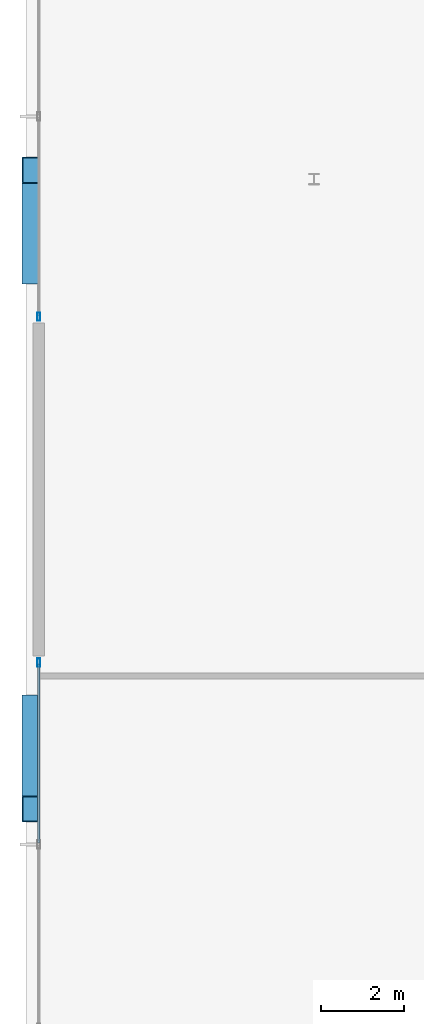
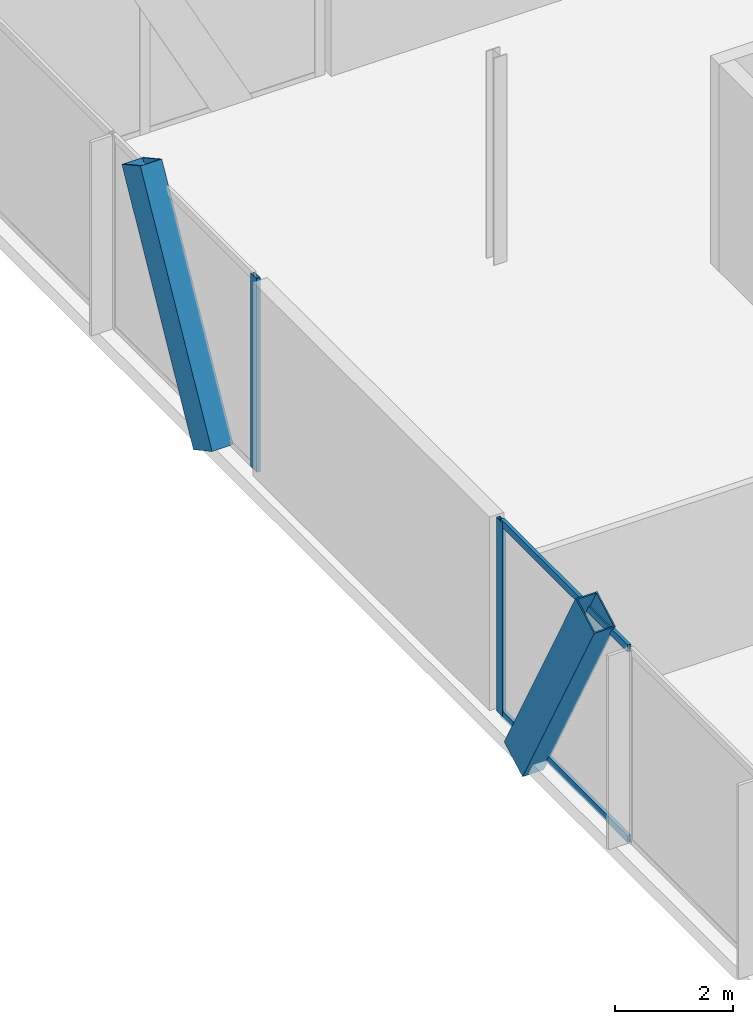
# One storey, part 23 of 42: 6 members, 2 elements without a shape of their own.
"""IFC4 building model written with IfcOpenShell, lengths in metres."""

import ifcopenshell
import ifcopenshell.guid

model = None  # the IFC model being written
_history = None  # IfcOwnerHistory: only IFC2X3 demands one
_inside = {}  # id of a spatial element -> (the spatial element, [elements in it])
_under = {}  # id of a project, library or spatial element -> (it, [spatial elements below it])
_declared = {}  # id of a project -> (the project, [libraries it declares])
_typed = {}  # id of a type object -> (the type object, [elements of that type])
_made_of = {}  # id of a material, layer set ... -> (it, [elements and type objects made of it])


def new_model(schema):
    """Start an empty IFC model of exactly this schema.

    Asked for "IFC4X3", IfcOpenShell would pick the latest addendum, in which some entities
    have other attributes; the version numbers below select the first issue.
    IFC2X3 requires an IfcOwnerHistory on every rooted entity: one is made here for all.
    """
    global model, _history
    if schema == "IFC4X3":
        model = ifcopenshell.file(schema_version=(4, 3, 0, 0))
    else:
        model = ifcopenshell.file(schema=schema)
    _inside.clear()
    _under.clear()
    _declared.clear()
    _typed.clear()
    _made_of.clear()
    _history = None
    if model.schema == "IFC2X3":
        org = make("IfcOrganization", Name="unknown")
        user = make(
            "IfcPersonAndOrganization",
            ThePerson=make("IfcPerson", FamilyName="unknown"),
            TheOrganization=org,
        )
        app = make(
            "IfcApplication",
            ApplicationDeveloper=org,
            Version="unknown",
            ApplicationFullName="unknown",
            ApplicationIdentifier="unknown",
        )
        _history = make(
            "IfcOwnerHistory",
            OwningUser=user,
            OwningApplication=app,
            ChangeAction="ADDED",
            CreationDate=0,
        )
    return model


def make(cls, **values):
    """One entity of the class cls with the attributes given. An attribute that is None is left unset."""
    return model.create_entity(
        cls, **{name: value for name, value in values.items() if value is not None}
    )


def rooted(cls, **values):
    """An entity with a GlobalId (a new one), such as an element, a storey or a relation."""
    return make(cls, GlobalId=ifcopenshell.guid.new(), OwnerHistory=_history, **values)


def si_unit(unit_type, name, prefix=None):
    """IfcSIUnit, for example si_unit("LENGTHUNIT", "METRE", prefix="MILLI")."""
    return make("IfcSIUnit", UnitType=unit_type, Prefix=prefix, Name=name)


def assignment(units):
    """IfcUnitAssignment: the units of a project."""
    return None if units is None else make("IfcUnitAssignment", Units=units)


def point(xyz):
    """IfcCartesianPoint."""
    return None if xyz is None else make("IfcCartesianPoint", Coordinates=xyz)


def direction(xyz):
    """IfcDirection."""
    return None if xyz is None else make("IfcDirection", DirectionRatios=xyz)


def frame(location, z_axis=None, x_axis=None):
    """IfcAxis2Placement3D, a coordinate frame: its origin and axes. An axis left out is left unset."""
    return make(
        "IfcAxis2Placement3D",
        Location=point(location),
        Axis=direction(z_axis),
        RefDirection=direction(x_axis),
    )


def frame_2d(location, x_axis=None):
    """IfcAxis2Placement2D, a coordinate frame in the plane: its origin and x axis."""
    return make(
        "IfcAxis2Placement2D", Location=point(location), RefDirection=direction(x_axis)
    )


def origin():
    """The frame at (0, 0, 0) with its axes left unset."""
    return frame((0.0, 0.0, 0.0))


def origin_2d():
    """The frame at (0, 0) in the plane with its x axis left unset."""
    return frame_2d((0.0, 0.0))


def place(relative_to, where):
    """IfcLocalPlacement: puts the frame where relative to a parent placement (None: the world)."""
    return make(
        "IfcLocalPlacement", PlacementRelTo=relative_to, RelativePlacement=where
    )


def context(
    kind, dimensions, precision=None, world=None, true_north=None, identifier=None
):
    """IfcGeometricRepresentationContext, for example the 3D "Model" context."""
    return make(
        "IfcGeometricRepresentationContext",
        ContextIdentifier=identifier,
        ContextType=kind,
        CoordinateSpaceDimension=dimensions,
        Precision=precision,
        WorldCoordinateSystem=world,
        TrueNorth=true_north,
    )


def subcontext(parent, identifier, kind, view, scale=None):
    """IfcGeometricRepresentationSubContext, for example "Body" below "Model"."""
    return make(
        "IfcGeometricRepresentationSubContext",
        ContextIdentifier=identifier,
        ContextType=kind,
        ParentContext=parent,
        TargetScale=scale,
        TargetView=view,
    )


def project(units=None, contexts=None):
    """IfcProject with its units and contexts."""
    return rooted(
        "IfcProject",
        Name="project",
        RepresentationContexts=contexts,
        UnitsInContext=assignment(units),
    )


def spatial(cls, under=None, at=None, **own):
    """A site, building, storey or space (cls), placed at a placement, below another one or the project."""
    s = rooted(cls, ObjectPlacement=at, **own)
    if under is not None:
        _under.setdefault(under.id(), (under, []))[1].append(s)
    return s


def profile(cls, at=None, kind="AREA", **sizes):
    """A parametric profile (cls). Its sizes go by their IFC names, for example OverallWidth=200.0."""
    return make(cls, ProfileType=kind, Position=at, **sizes)


def hollow_rectangle(**sizes):
    """IfcRectangleHollowProfileDef."""
    return profile("IfcRectangleHollowProfileDef", **sizes)


def extrude(swept, where, along, depth):
    """IfcExtrudedAreaSolid: the profile swept, set in the frame where, extruded along a direction by depth."""
    return make(
        "IfcExtrudedAreaSolid",
        SweptArea=swept,
        Position=where,
        ExtrudedDirection=direction(along),
        Depth=depth,
    )


def shape(context_of_items, identifier, shape_type, items):
    """IfcShapeRepresentation: the items that make up one representation, for example the "Body"."""
    return make(
        "IfcShapeRepresentation",
        ContextOfItems=context_of_items,
        RepresentationIdentifier=identifier,
        RepresentationType=shape_type,
        Items=items,
    )


def material(Name=None, Category=None):
    """IfcMaterial."""
    return make("IfcMaterial", Name=Name, Category=Category)


def layer(
    of_material, thickness, ventilated=None, Name=None, Category=None, Priority=None
):
    """IfcMaterialLayer: one layer of a wall or slab, of a material (None: an air gap)."""
    return make(
        "IfcMaterialLayer",
        Material=of_material,
        LayerThickness=thickness,
        IsVentilated=ventilated,
        Name=Name,
        Category=Category,
        Priority=Priority,
    )


def layer_set(layers, Name=None):
    """IfcMaterialLayerSet."""
    return make("IfcMaterialLayerSet", MaterialLayers=layers, LayerSetName=Name)


def material_profile(
    of_material, cross_section, Name=None, Category=None, Priority=None
):
    """IfcMaterialProfile: a cross section and its material."""
    return make(
        "IfcMaterialProfile",
        Name=Name,
        Material=of_material,
        Profile=cross_section,
        Priority=Priority,
        Category=Category,
    )


def profile_set(profiles, Name=None, composite=None):
    """IfcMaterialProfileSet."""
    return make(
        "IfcMaterialProfileSet",
        Name=Name,
        MaterialProfiles=profiles,
        CompositeProfile=composite,
    )


def made_of(thing, what):
    """Note that an element or type object is made of a material, layer set ...; save() writes the relation."""
    if what is not None:
        _made_of.setdefault(what.id(), (what, []))[1].append(thing)
    return thing


def type_object(cls, material=None, **own):
    """A type object (cls), such as IfcWallType, which elements share."""
    return made_of(rooted(cls, **own), material)


def element(
    cls,
    number,
    at=None,
    inside=None,
    cuts=None,
    type_object=None,
    material=None,
    context=None,
    identifier="Body",
    shape_type=None,
    held_by="IfcProductDefinitionShape",
    body=None,
    shapes=None,
    **own,
):
    """One element of the class cls, such as IfcWall. Its Tag is "e" and its number.

    at: its placement. inside: the storey or other place that contains it. cuts: it is an
    opening in that element (IfcRelVoidsElement). A single representation is given by context,
    identifier, shape_type and body (its items); several are given by shapes. held_by: the class
    of the entity that holds the representations. save() writes the other relations.
    """
    e = rooted(cls, Tag="e%d" % number, ObjectPlacement=at, **own)
    if body is not None:
        shapes = [shape(context, identifier, shape_type, body)]
    if shapes is not None:
        e.Representation = make(held_by, Representations=shapes)
    if inside is not None:
        _inside.setdefault(inside.id(), (inside, []))[1].append(e)
    if cuts is not None:
        rooted(
            "IfcRelVoidsElement", RelatingBuildingElement=cuts, RelatedOpeningElement=e
        )
    if type_object is not None:
        _typed.setdefault(type_object.id(), (type_object, []))[1].append(e)
    return made_of(e, material)


def aggregate(whole, parts):
    """IfcRelAggregates: a whole, such as a stair, and the parts it consists of."""
    return rooted("IfcRelAggregates", RelatingObject=whole, RelatedObjects=parts)


def save(model, path):
    """Write the relations noted so far, then the file.

    IfcRelAggregates (storeys below a building ...), IfcRelContainedInSpatialStructure (elements
    in a storey), IfcRelDefinesByType, IfcRelAssociatesMaterial and IfcRelDeclares: one each for
    every whole, place, type object, material and project.
    """
    for whole, parts in _under.values():
        aggregate(whole, parts)
    for where, things in _inside.values():
        rooted(
            "IfcRelContainedInSpatialStructure",
            RelatedElements=things,
            RelatingStructure=where,
        )
    for kind, things in _typed.values():
        rooted("IfcRelDefinesByType", RelatedObjects=things, RelatingType=kind)
    for what, things in _made_of.values():
        rooted("IfcRelAssociatesMaterial", RelatedObjects=things, RelatingMaterial=what)
    for by, libraries in _declared.values():
        rooted("IfcRelDeclares", RelatingContext=by, RelatedDefinitions=libraries)
    model.write(path)


model = new_model("IFC4")

# Units and contexts
model_context = context("Model", 3, precision=1e-05, world=origin(), true_north=direction((0.0, 1.0)))
body_context = subcontext(model_context, "Body", "Model", "MODEL_VIEW")
ifc_project = project(units=[si_unit("LENGTHUNIT", "METRE"), si_unit("AREAUNIT", "SQUARE_METRE"), si_unit("VOLUMEUNIT", "CUBIC_METRE"), si_unit("PLANEANGLEUNIT", "RADIAN"), si_unit("MASSUNIT", "GRAM", prefix="KILO")], contexts=[model_context])

# Site, building, storey
site_placement = place(None, origin())
site = spatial("IfcSite", under=ifc_project, at=site_placement, CompositionType="ELEMENT")
building_placement = place(site_placement, origin())
building = spatial("IfcBuilding", under=site, at=building_placement, Name="Orvanel Arch Residences", CompositionType="ELEMENT")
storey_placement = place(building_placement, frame((0.0, 0.0, 9.800048828125)))
storey = spatial("IfcBuildingStorey", under=building, at=storey_placement, Name="L02", CompositionType="ELEMENT", Elevation=9.800048828125)

# Members
ifc_material_1 = material(Name="Structural steel AS/NZS 3678 Grade 350", Category="steel")
ifc_material_profile_1 = material_profile(ifc_material_1, hollow_rectangle(XDim=0.419921875, YDim=0.719970703125, WallThickness=0.02490234375, at=origin_2d()), Name="RHS720x420x25")
ifc_profile_set_1 = profile_set([ifc_material_profile_1], Name="Structural steel AS/NZS 3678 Grade 350")
member_type_1 = type_object("IfcMemberType", Name="BR-720RHS-EXT", PredefinedType="BRACE", material=ifc_profile_set_1)
for number, where, z_axis, x_axis, name in (
    (1, (1.360107421875, 35.218994140625, -0.150146484375), (0.0, -0.480018403674, 0.877258418104), (1.0, 0.0, 0.0), "L02 Podium Multi-Storey V-Strut Pair W2 Leg 1"),
    (2, (1.360107421875, 45.781005859375, -0.150146484375), (0.0, 0.480018403674, 0.877258418104), (-1.0, 0.0, 0.0), "L02 Podium Multi-Storey V-Strut Pair W2 Leg 2"),
):
    element("IfcMember", number, at=place(storey_placement, frame(where, z_axis=z_axis, x_axis=x_axis)), inside=storey, type_object=member_type_1, Name=name, PredefinedType="BRACE", context=body_context, shape_type="SweptSolid", body=[
        extrude(hollow_rectangle(XDim=0.419921875, YDim=0.719970703125, WallThickness=0.02490234375, at=origin_2d()), origin(), (0.0, 0.0, 1.0), 5.07275390625),
    ])

# Curtain wall, member
ifc_material_2 = material(Name="Bronze-anodised aluminium AA6063-T6", Category="aluminium")
ifc_layer = layer(ifc_material_2, 0.199951171875)
ifc_layer_set = layer_set([ifc_layer], Name="Bronze-anodised aluminium AA6063-T6")
curtain_wall_type = type_object("IfcCurtainWallType", Name="CW1-POD-SYS", PredefinedType="NOTDEFINED", material=ifc_layer_set)
curtain_wall_1_placement = place(storey_placement, origin())
curtain_wall_1 = element("IfcCurtainWall", 3, at=curtain_wall_1_placement, inside=storey, type_object=curtain_wall_type, Name="L02 CW1-POD-SYS Unitised Curtain Wall", PredefinedType="NOTDEFINED")
ifc_material_profile_2 = material_profile(ifc_material_2, hollow_rectangle(XDim=0.074951171875, YDim=0.199951171875, WallThickness=0.0048828125, at=origin_2d()), Name="ALU200x75x5")
ifc_profile_set_2 = profile_set([ifc_material_profile_2], Name="Bronze-anodised aluminium AA6063-T6")
member_type_2 = type_object("IfcMemberType", Name="MUL-200x75", PredefinedType="MULLION", material=ifc_profile_set_2)
member_1_placement = place(storey_placement, frame((1.550048828125, 36.322509765625, 0.0), z_axis=(0.0, 0.0, 1.0), x_axis=(1.0, 0.0, 0.0)))
member_1 = element("IfcMember", 4, at=member_1_placement, type_object=member_type_2, Name="CW-S1 mullion 1", PredefinedType="MULLION", context=body_context, shape_type="SweptSolid", body=[
    extrude(hollow_rectangle(XDim=0.074951171875, YDim=0.199951171875, WallThickness=0.0048828125, at=origin_2d()), origin(), (0.0, 0.0, 1.0), 4.02001953125),
])

curtain_wall_2_placement = place(storey_placement, origin())
curtain_wall_2 = element("IfcCurtainWall", 5, at=curtain_wall_2_placement, inside=storey, type_object=curtain_wall_type, Name="L02 CW1-POD-SYS Unitised Curtain Wall", PredefinedType="NOTDEFINED")
member_2_placement = place(storey_placement, frame((1.550048828125, 44.677490234375, 0.0), z_axis=(0.0, 0.0, 1.0), x_axis=(1.0, 0.0, 0.0)))
member_2 = element("IfcMember", 6, at=member_2_placement, type_object=member_type_2, Name="CW-S1 mullion 3", PredefinedType="MULLION", context=body_context, shape_type="SweptSolid", body=[
    extrude(hollow_rectangle(XDim=0.074951171875, YDim=0.199951171875, WallThickness=0.0048828125, at=origin_2d()), origin(), (0.0, 0.0, 1.0), 4.02001953125),
])
aggregate(curtain_wall_2, [member_2])

# Member
ifc_material_profile_3 = material_profile(ifc_material_2, hollow_rectangle(XDim=0.06494140625, YDim=0.14990234375, WallThickness=0.00390625, at=origin_2d()), Name="ALU150x65x4")
ifc_profile_set_3 = profile_set([ifc_material_profile_3], Name="Bronze-anodised aluminium AA6063-T6")
member_type_3 = type_object("IfcMemberType", Name="TRN-150x65", PredefinedType="USERDEFINED", material=ifc_profile_set_3)
member_3_placement = place(storey_placement, frame((1.550048828125, 36.284912109375, 0.032470703125), z_axis=(0.0, -1.0, 0.0), x_axis=(1.0, 0.0, 0.0)))
member_3 = element("IfcMember", 7, at=member_3_placement, type_object=member_type_3, Name="CW-S1 transom 1.1", ObjectType="TRANSOM", PredefinedType="USERDEFINED", context=body_context, shape_type="SweptSolid", body=[
    extrude(hollow_rectangle(XDim=0.06494140625, YDim=0.14990234375, WallThickness=0.00390625, at=origin_2d()), origin(), (0.0, 0.0, 1.0), 4.3173828125),
])

member_4_placement = place(storey_placement, frame((1.550048828125, 36.284912109375, 3.987548828125), z_axis=(0.0, -1.0, 0.0), x_axis=(1.0, 0.0, 0.0)))
member_4 = element("IfcMember", 8, at=member_4_placement, type_object=member_type_3, Name="CW-S1 transom 1.2", ObjectType="TRANSOM", PredefinedType="USERDEFINED", context=body_context, shape_type="SweptSolid", body=[
    extrude(hollow_rectangle(XDim=0.06494140625, YDim=0.14990234375, WallThickness=0.00390625, at=origin_2d()), origin(), (0.0, 0.0, 1.0), 4.3173828125),
])

aggregate(curtain_wall_1, [member_1, member_3, member_4])

save(model, "model.ifc")
